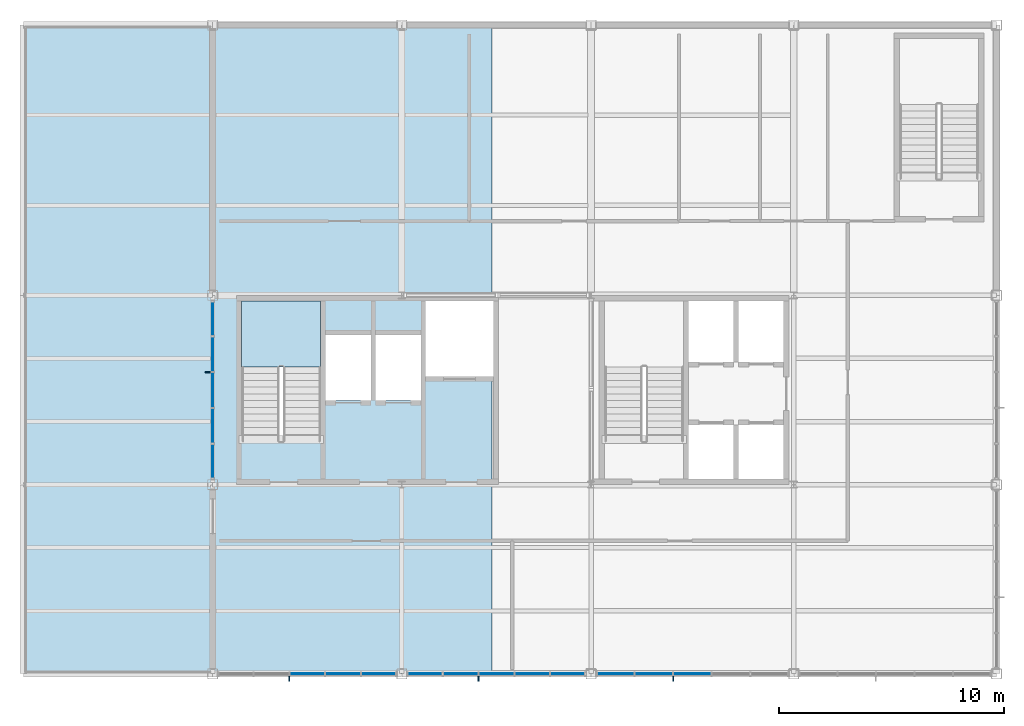
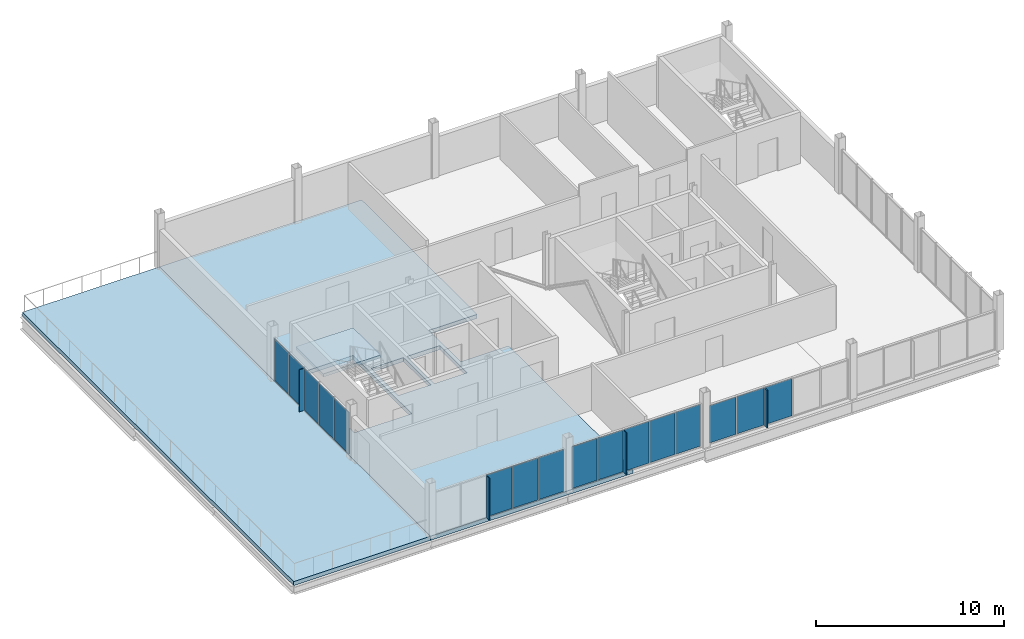
# One storey, part 8 of 14: 20 plates, 3 slabs, 5 elements without a shape of their own.
"""IFC4 building model written with IfcOpenShell, lengths in metres."""

import ifcopenshell
import ifcopenshell.guid

model = None  # the IFC model being written
_history = None  # IfcOwnerHistory: only IFC2X3 demands one
_inside = {}  # id of a spatial element -> (the spatial element, [elements in it])
_under = {}  # id of a project, library or spatial element -> (it, [spatial elements below it])
_declared = {}  # id of a project -> (the project, [libraries it declares])
_typed = {}  # id of a type object -> (the type object, [elements of that type])
_made_of = {}  # id of a material, layer set ... -> (it, [elements and type objects made of it])


def new_model(schema):
    """Start an empty IFC model of exactly this schema.

    Asked for "IFC4X3", IfcOpenShell would pick the latest addendum, in which some entities
    have other attributes; the version numbers below select the first issue.
    IFC2X3 requires an IfcOwnerHistory on every rooted entity: one is made here for all.
    """
    global model, _history
    if schema == "IFC4X3":
        model = ifcopenshell.file(schema_version=(4, 3, 0, 0))
    else:
        model = ifcopenshell.file(schema=schema)
    _inside.clear()
    _under.clear()
    _declared.clear()
    _typed.clear()
    _made_of.clear()
    _history = None
    if model.schema == "IFC2X3":
        org = make("IfcOrganization", Name="unknown")
        user = make(
            "IfcPersonAndOrganization",
            ThePerson=make("IfcPerson", FamilyName="unknown"),
            TheOrganization=org,
        )
        app = make(
            "IfcApplication",
            ApplicationDeveloper=org,
            Version="unknown",
            ApplicationFullName="unknown",
            ApplicationIdentifier="unknown",
        )
        _history = make(
            "IfcOwnerHistory",
            OwningUser=user,
            OwningApplication=app,
            ChangeAction="ADDED",
            CreationDate=0,
        )
    return model


def make(cls, **values):
    """One entity of the class cls with the attributes given. An attribute that is None is left unset."""
    return model.create_entity(
        cls, **{name: value for name, value in values.items() if value is not None}
    )


def rooted(cls, **values):
    """An entity with a GlobalId (a new one), such as an element, a storey or a relation."""
    return make(cls, GlobalId=ifcopenshell.guid.new(), OwnerHistory=_history, **values)


def si_unit(unit_type, name, prefix=None):
    """IfcSIUnit, for example si_unit("LENGTHUNIT", "METRE", prefix="MILLI")."""
    return make("IfcSIUnit", UnitType=unit_type, Prefix=prefix, Name=name)


def assignment(units):
    """IfcUnitAssignment: the units of a project."""
    return None if units is None else make("IfcUnitAssignment", Units=units)


def point(xyz):
    """IfcCartesianPoint."""
    return None if xyz is None else make("IfcCartesianPoint", Coordinates=xyz)


def direction(xyz):
    """IfcDirection."""
    return None if xyz is None else make("IfcDirection", DirectionRatios=xyz)


def frame(location, z_axis=None, x_axis=None):
    """IfcAxis2Placement3D, a coordinate frame: its origin and axes. An axis left out is left unset."""
    return make(
        "IfcAxis2Placement3D",
        Location=point(location),
        Axis=direction(z_axis),
        RefDirection=direction(x_axis),
    )


def frame_2d(location, x_axis=None):
    """IfcAxis2Placement2D, a coordinate frame in the plane: its origin and x axis."""
    return make(
        "IfcAxis2Placement2D", Location=point(location), RefDirection=direction(x_axis)
    )


def origin():
    """The frame at (0, 0, 0) with its axes left unset."""
    return frame((0.0, 0.0, 0.0))


def origin_2d():
    """The frame at (0, 0) in the plane with its x axis left unset."""
    return frame_2d((0.0, 0.0))


def place(relative_to, where):
    """IfcLocalPlacement: puts the frame where relative to a parent placement (None: the world)."""
    return make(
        "IfcLocalPlacement", PlacementRelTo=relative_to, RelativePlacement=where
    )


def context(
    kind, dimensions, precision=None, world=None, true_north=None, identifier=None
):
    """IfcGeometricRepresentationContext, for example the 3D "Model" context."""
    return make(
        "IfcGeometricRepresentationContext",
        ContextIdentifier=identifier,
        ContextType=kind,
        CoordinateSpaceDimension=dimensions,
        Precision=precision,
        WorldCoordinateSystem=world,
        TrueNorth=true_north,
    )


def subcontext(parent, identifier, kind, view, scale=None):
    """IfcGeometricRepresentationSubContext, for example "Body" below "Model"."""
    return make(
        "IfcGeometricRepresentationSubContext",
        ContextIdentifier=identifier,
        ContextType=kind,
        ParentContext=parent,
        TargetScale=scale,
        TargetView=view,
    )


def project(units=None, contexts=None):
    """IfcProject with its units and contexts."""
    return rooted(
        "IfcProject",
        Name="project",
        RepresentationContexts=contexts,
        UnitsInContext=assignment(units),
    )


def spatial(cls, under=None, at=None, **own):
    """A site, building, storey or space (cls), placed at a placement, below another one or the project."""
    s = rooted(cls, ObjectPlacement=at, **own)
    if under is not None:
        _under.setdefault(under.id(), (under, []))[1].append(s)
    return s


def polyline(points):
    """IfcPolyline through the points."""
    return make("IfcPolyline", Points=[point(p) for p in points])


def profile(cls, at=None, kind="AREA", **sizes):
    """A parametric profile (cls). Its sizes go by their IFC names, for example OverallWidth=200.0."""
    return make(cls, ProfileType=kind, Position=at, **sizes)


def rectangle(**sizes):
    """IfcRectangleProfileDef."""
    return profile("IfcRectangleProfileDef", **sizes)


def outline(outer, holes=None, kind="AREA"):
    """IfcArbitraryClosedProfileDef: a profile drawn as a closed curve; with holes, ...WithVoids."""
    if holes is None:
        return make("IfcArbitraryClosedProfileDef", ProfileType=kind, OuterCurve=outer)
    return make(
        "IfcArbitraryProfileDefWithVoids",
        ProfileType=kind,
        OuterCurve=outer,
        InnerCurves=holes,
    )


def extrude(swept, where, along, depth):
    """IfcExtrudedAreaSolid: the profile swept, set in the frame where, extruded along a direction by depth."""
    return make(
        "IfcExtrudedAreaSolid",
        SweptArea=swept,
        Position=where,
        ExtrudedDirection=direction(along),
        Depth=depth,
    )


def shape(context_of_items, identifier, shape_type, items):
    """IfcShapeRepresentation: the items that make up one representation, for example the "Body"."""
    return make(
        "IfcShapeRepresentation",
        ContextOfItems=context_of_items,
        RepresentationIdentifier=identifier,
        RepresentationType=shape_type,
        Items=items,
    )


def material(Name=None, Category=None):
    """IfcMaterial."""
    return make("IfcMaterial", Name=Name, Category=Category)


def layer(
    of_material, thickness, ventilated=None, Name=None, Category=None, Priority=None
):
    """IfcMaterialLayer: one layer of a wall or slab, of a material (None: an air gap)."""
    return make(
        "IfcMaterialLayer",
        Material=of_material,
        LayerThickness=thickness,
        IsVentilated=ventilated,
        Name=Name,
        Category=Category,
        Priority=Priority,
    )


def layer_set(layers, Name=None):
    """IfcMaterialLayerSet."""
    return make("IfcMaterialLayerSet", MaterialLayers=layers, LayerSetName=Name)


def made_of(thing, what):
    """Note that an element or type object is made of a material, layer set ...; save() writes the relation."""
    if what is not None:
        _made_of.setdefault(what.id(), (what, []))[1].append(thing)
    return thing


def type_object(cls, material=None, **own):
    """A type object (cls), such as IfcWallType, which elements share."""
    return made_of(rooted(cls, **own), material)


def element(
    cls,
    number,
    at=None,
    inside=None,
    cuts=None,
    type_object=None,
    material=None,
    context=None,
    identifier="Body",
    shape_type=None,
    held_by="IfcProductDefinitionShape",
    body=None,
    shapes=None,
    **own,
):
    """One element of the class cls, such as IfcWall. Its Tag is "e" and its number.

    at: its placement. inside: the storey or other place that contains it. cuts: it is an
    opening in that element (IfcRelVoidsElement). A single representation is given by context,
    identifier, shape_type and body (its items); several are given by shapes. held_by: the class
    of the entity that holds the representations. save() writes the other relations.
    """
    e = rooted(cls, Tag="e%d" % number, ObjectPlacement=at, **own)
    if body is not None:
        shapes = [shape(context, identifier, shape_type, body)]
    if shapes is not None:
        e.Representation = make(held_by, Representations=shapes)
    if inside is not None:
        _inside.setdefault(inside.id(), (inside, []))[1].append(e)
    if cuts is not None:
        rooted(
            "IfcRelVoidsElement", RelatingBuildingElement=cuts, RelatedOpeningElement=e
        )
    if type_object is not None:
        _typed.setdefault(type_object.id(), (type_object, []))[1].append(e)
    return made_of(e, material)


def aggregate(whole, parts):
    """IfcRelAggregates: a whole, such as a stair, and the parts it consists of."""
    return rooted("IfcRelAggregates", RelatingObject=whole, RelatedObjects=parts)


def save(model, path):
    """Write the relations noted so far, then the file.

    IfcRelAggregates (storeys below a building ...), IfcRelContainedInSpatialStructure (elements
    in a storey), IfcRelDefinesByType, IfcRelAssociatesMaterial and IfcRelDeclares: one each for
    every whole, place, type object, material and project.
    """
    for whole, parts in _under.values():
        aggregate(whole, parts)
    for where, things in _inside.values():
        rooted(
            "IfcRelContainedInSpatialStructure",
            RelatedElements=things,
            RelatingStructure=where,
        )
    for kind, things in _typed.values():
        rooted("IfcRelDefinesByType", RelatedObjects=things, RelatingType=kind)
    for what, things in _made_of.values():
        rooted("IfcRelAssociatesMaterial", RelatedObjects=things, RelatingMaterial=what)
    for by, libraries in _declared.values():
        rooted("IfcRelDeclares", RelatingContext=by, RelatedDefinitions=libraries)
    model.write(path)


model = new_model("IFC4")

# Units and contexts
model_context = context("Model", 3, precision=1e-05, world=origin(), true_north=direction((0.0, 1.0)))
body_context = subcontext(model_context, "Body", "Model", "MODEL_VIEW")
ifc_project = project(units=[si_unit("LENGTHUNIT", "METRE"), si_unit("AREAUNIT", "SQUARE_METRE"), si_unit("VOLUMEUNIT", "CUBIC_METRE"), si_unit("PLANEANGLEUNIT", "RADIAN"), si_unit("MASSUNIT", "GRAM", prefix="KILO")], contexts=[model_context])

# Site, building, storey
site_placement = place(None, origin())
site = spatial("IfcSite", under=ifc_project, at=site_placement, CompositionType="ELEMENT")
building_placement = place(site_placement, origin())
building = spatial("IfcBuilding", under=site, at=building_placement, Name="Yukiwa Park Conservatory and Herbarium", CompositionType="ELEMENT")
storey_placement = place(building_placement, frame((0.0, 0.0, 50.39990234375)))
storey = spatial("IfcBuildingStorey", under=building, at=storey_placement, Name="L13", CompositionType="ELEMENT", Elevation=50.39990234375)

# Curtain wall, plates
ifc_material_1 = material(Name="Triple Low-E Insulated Glass", Category="glass")
ifc_layer_1 = layer(ifc_material_1, 0.27197265625)
ifc_layer_set_1 = layer_set([ifc_layer_1], Name="Triple Low-E Insulated Glass")
curtain_wall_type = type_object("IfcCurtainWallType", Name="CW-TOWER-LIB-1600", PredefinedType="NOTDEFINED", material=ifc_layer_set_1)
curtain_wall_1_placement = place(storey_placement, origin())
curtain_wall_1 = element("IfcCurtainWall", 1, at=curtain_wall_1_placement, inside=storey, type_object=curtain_wall_type, Name="L13 unitised curtain wall CW-L13-128", PredefinedType="NOTDEFINED")
ifc_material_2 = material(Name="Triple Low-E Insulated Glass", Category="glass")
ifc_layer_2 = layer(ifc_material_2, 0.035888671875)
ifc_layer_set_2 = layer_set([ifc_layer_2], Name="Triple Low-E Insulated Glass")
plate_type_1 = type_object("IfcPlateType", Name="PL-CW-GLZ-36", PredefinedType="CURTAIN_PANEL", material=ifc_layer_set_2)
plate_1_placement = place(storey_placement, frame((133.199951171875, 102.179931640625, 0.070068359375), z_axis=(0.0, 0.0, 1.0), x_axis=(0.0, -1.0, 0.0)))
plate_1 = element("IfcPlate", 2, at=plate_1_placement, type_object=plate_type_1, Name="CW-L13-128 vision panel 1.1", PredefinedType="CURTAIN_PANEL", context=body_context, shape_type="SweptSolid", body=[
    extrude(rectangle(XDim=1.52001953125, YDim=0.035888671875, at=origin_2d()), origin(), (0.0, 0.0, 1.0), 2.7060546875),
])
plate_2_placement = place(storey_placement, frame((133.199951171875, 100.590087890625, 0.070068359375), z_axis=(0.0, 0.0, 1.0), x_axis=(0.0, -1.0, 0.0)))
plate_2 = element("IfcPlate", 3, at=plate_2_placement, type_object=plate_type_1, Name="CW-L13-128 vision panel 2.1", PredefinedType="CURTAIN_PANEL", context=body_context, shape_type="SweptSolid", body=[
    extrude(rectangle(XDim=1.52001953125, YDim=0.035888671875, at=origin_2d()), origin(), (0.0, 0.0, 1.0), 2.7060546875),
])
plate_3_placement = place(storey_placement, frame((133.199951171875, 99.0, 0.070068359375), z_axis=(0.0, 0.0, 1.0), x_axis=(0.0, -1.0, 0.0)))
plate_3 = element("IfcPlate", 4, at=plate_3_placement, type_object=plate_type_1, Name="CW-L13-128 vision panel 3.1", PredefinedType="CURTAIN_PANEL", context=body_context, shape_type="SweptSolid", body=[
    extrude(rectangle(XDim=1.52001953125, YDim=0.035888671875, at=origin_2d()), origin(), (0.0, 0.0, 1.0), 2.7060546875),
])
plate_4_placement = place(storey_placement, frame((133.199951171875, 97.409912109375, 0.070068359375), z_axis=(0.0, 0.0, 1.0), x_axis=(0.0, -1.0, 0.0)))
plate_4 = element("IfcPlate", 5, at=plate_4_placement, type_object=plate_type_1, Name="CW-L13-128 vision panel 4.1", PredefinedType="CURTAIN_PANEL", context=body_context, shape_type="SweptSolid", body=[
    extrude(rectangle(XDim=1.52001953125, YDim=0.035888671875, at=origin_2d()), origin(), (0.0, 0.0, 1.0), 2.7060546875),
])
plate_5_placement = place(storey_placement, frame((133.199951171875, 95.820068359375, 0.070068359375), z_axis=(0.0, 0.0, 1.0), x_axis=(0.0, -1.0, 0.0)))
plate_5 = element("IfcPlate", 6, at=plate_5_placement, type_object=plate_type_1, Name="CW-L13-128 vision panel 5.1", PredefinedType="CURTAIN_PANEL", context=body_context, shape_type="SweptSolid", body=[
    extrude(rectangle(XDim=1.52001953125, YDim=0.035888671875, at=origin_2d()), origin(), (0.0, 0.0, 1.0), 2.7060546875),
])
aggregate(curtain_wall_1, [plate_1, plate_2, plate_3, plate_4, plate_5])

curtain_wall_2_placement = place(storey_placement, origin())
curtain_wall_2 = element("IfcCurtainWall", 7, at=curtain_wall_2_placement, inside=storey, type_object=curtain_wall_type, Name="L13 unitised curtain wall CW-L13-129", PredefinedType="NOTDEFINED")
plate_6_placement = place(storey_placement, frame((137.39990234375, 86.39990234375, 0.070068359375), z_axis=(0.0, 0.0, 1.0), x_axis=(1.0, 0.0, 0.0)))
plate_6 = element("IfcPlate", 8, at=plate_6_placement, type_object=plate_type_1, Name="CW-L13-129 vision panel 3.1", PredefinedType="CURTAIN_PANEL", context=body_context, shape_type="SweptSolid", body=[
    extrude(rectangle(XDim=1.52001953125, YDim=0.035888671875, at=origin_2d()), origin(), (0.0, 0.0, 1.0), 2.7060546875),
])
plate_7_placement = place(storey_placement, frame((138.989990234375, 86.39990234375, 0.070068359375), z_axis=(0.0, 0.0, 1.0), x_axis=(1.0, 0.0, 0.0)))
plate_7 = element("IfcPlate", 9, at=plate_7_placement, type_object=plate_type_1, Name="CW-L13-129 vision panel 4.1", PredefinedType="CURTAIN_PANEL", context=body_context, shape_type="SweptSolid", body=[
    extrude(rectangle(XDim=1.52001953125, YDim=0.035888671875, at=origin_2d()), origin(), (0.0, 0.0, 1.0), 2.7060546875),
])
plate_8_placement = place(storey_placement, frame((140.580078125, 86.39990234375, 0.070068359375), z_axis=(0.0, 0.0, 1.0), x_axis=(1.0, 0.0, 0.0)))
plate_8 = element("IfcPlate", 10, at=plate_8_placement, type_object=plate_type_1, Name="CW-L13-129 vision panel 5.1", PredefinedType="CURTAIN_PANEL", context=body_context, shape_type="SweptSolid", body=[
    extrude(rectangle(XDim=1.52001953125, YDim=0.035888671875, at=origin_2d()), origin(), (0.0, 0.0, 1.0), 2.7060546875),
])
aggregate(curtain_wall_2, [plate_6, plate_7, plate_8])

curtain_wall_3_placement = place(storey_placement, origin())
curtain_wall_3 = element("IfcCurtainWall", 11, at=curtain_wall_3_placement, inside=storey, type_object=curtain_wall_type, Name="L13 unitised curtain wall CW-L13-130", PredefinedType="NOTDEFINED")
plate_9_placement = place(storey_placement, frame((142.6201171875, 86.39990234375, 0.070068359375), z_axis=(0.0, 0.0, 1.0), x_axis=(1.0, 0.0, 0.0)))
plate_9 = element("IfcPlate", 12, at=plate_9_placement, type_object=plate_type_1, Name="CW-L13-130 vision panel 1.1", PredefinedType="CURTAIN_PANEL", context=body_context, shape_type="SweptSolid", body=[
    extrude(rectangle(XDim=1.52001953125, YDim=0.035888671875, at=origin_2d()), origin(), (0.0, 0.0, 1.0), 2.7060546875),
])
plate_10_placement = place(storey_placement, frame((144.2099609375, 86.39990234375, 0.070068359375), z_axis=(0.0, 0.0, 1.0), x_axis=(1.0, 0.0, 0.0)))
plate_10 = element("IfcPlate", 13, at=plate_10_placement, type_object=plate_type_1, Name="CW-L13-130 vision panel 2.1", PredefinedType="CURTAIN_PANEL", context=body_context, shape_type="SweptSolid", body=[
    extrude(rectangle(XDim=1.52001953125, YDim=0.035888671875, at=origin_2d()), origin(), (0.0, 0.0, 1.0), 2.7060546875),
])
plate_11_placement = place(storey_placement, frame((145.800048828125, 86.39990234375, 0.070068359375), z_axis=(0.0, 0.0, 1.0), x_axis=(1.0, 0.0, 0.0)))
plate_11 = element("IfcPlate", 14, at=plate_11_placement, type_object=plate_type_1, Name="CW-L13-130 vision panel 3.1", PredefinedType="CURTAIN_PANEL", context=body_context, shape_type="SweptSolid", body=[
    extrude(rectangle(XDim=1.52001953125, YDim=0.035888671875, at=origin_2d()), origin(), (0.0, 0.0, 1.0), 2.7060546875),
])
plate_12_placement = place(storey_placement, frame((147.389892578125, 86.39990234375, 0.070068359375), z_axis=(0.0, 0.0, 1.0), x_axis=(1.0, 0.0, 0.0)))
plate_12 = element("IfcPlate", 15, at=plate_12_placement, type_object=plate_type_1, Name="CW-L13-130 vision panel 4.1", PredefinedType="CURTAIN_PANEL", context=body_context, shape_type="SweptSolid", body=[
    extrude(rectangle(XDim=1.52001953125, YDim=0.035888671875, at=origin_2d()), origin(), (0.0, 0.0, 1.0), 2.7060546875),
])
plate_13_placement = place(storey_placement, frame((148.97998046875, 86.39990234375, 0.070068359375), z_axis=(0.0, 0.0, 1.0), x_axis=(1.0, 0.0, 0.0)))
plate_13 = element("IfcPlate", 16, at=plate_13_placement, type_object=plate_type_1, Name="CW-L13-130 vision panel 5.1", PredefinedType="CURTAIN_PANEL", context=body_context, shape_type="SweptSolid", body=[
    extrude(rectangle(XDim=1.52001953125, YDim=0.035888671875, at=origin_2d()), origin(), (0.0, 0.0, 1.0), 2.7060546875),
])
aggregate(curtain_wall_3, [plate_9, plate_10, plate_11, plate_12, plate_13])

curtain_wall_4_placement = place(storey_placement, origin())
curtain_wall_4 = element("IfcCurtainWall", 17, at=curtain_wall_4_placement, inside=storey, type_object=curtain_wall_type, Name="L13 unitised curtain wall CW-L13-131", PredefinedType="NOTDEFINED")
plate_14_placement = place(storey_placement, frame((151.080078125, 86.39990234375, 0.070068359375), z_axis=(0.0, 0.0, 1.0), x_axis=(1.0, 0.0, 0.0)))
plate_14 = element("IfcPlate", 18, at=plate_14_placement, type_object=plate_type_1, Name="CW-L13-131 vision panel 1.1", PredefinedType="CURTAIN_PANEL", context=body_context, shape_type="SweptSolid", body=[
    extrude(rectangle(XDim=1.639892578125, YDim=0.035888671875, at=origin_2d()), origin(), (0.0, 0.0, 1.0), 2.4140625),
])
plate_15_placement = place(storey_placement, frame((152.7900390625, 86.39990234375, 0.070068359375), z_axis=(0.0, 0.0, 1.0), x_axis=(1.0, 0.0, 0.0)))
plate_15 = element("IfcPlate", 19, at=plate_15_placement, type_object=plate_type_1, Name="CW-L13-131 vision panel 2.1", PredefinedType="CURTAIN_PANEL", context=body_context, shape_type="SweptSolid", body=[
    extrude(rectangle(XDim=1.639892578125, YDim=0.035888671875, at=origin_2d()), origin(), (0.0, 0.0, 1.0), 2.4140625),
])
plate_16_placement = place(storey_placement, frame((154.5, 86.39990234375, 0.070068359375), z_axis=(0.0, 0.0, 1.0), x_axis=(1.0, 0.0, 0.0)))
plate_16 = element("IfcPlate", 20, at=plate_16_placement, type_object=plate_type_1, Name="CW-L13-131 vision panel 3.1", PredefinedType="CURTAIN_PANEL", context=body_context, shape_type="SweptSolid", body=[
    extrude(rectangle(XDim=1.639892578125, YDim=0.035888671875, at=origin_2d()), origin(), (0.0, 0.0, 1.0), 2.4140625),
])
aggregate(curtain_wall_4, [plate_14, plate_15, plate_16])

# Plates
ifc_material_3 = material(Name="Anodised Aluminium", Category="aluminium")
ifc_layer_3 = layer(ifc_material_3, 0.050048828125)
ifc_layer_set_3 = layer_set([ifc_layer_3], Name="Anodised Aluminium")
plate_type_2 = type_object("IfcPlateType", Name="PL-FIN-ALU-50", PredefinedType="USERDEFINED", material=ifc_layer_set_3)
for number, where, z_axis, x_axis, name in (
    (21, (133.010009765625, 99.794921875, 0.06005859375), (0.0, 0.0, 1.0), (0.0, -1.0, 0.0), "CW-L13-128 exterior vertical shading fin"),
    (22, (136.60498046875, 86.2099609375, 0.06005859375), (0.0, 0.0, 1.0), (1.0, 0.0, 0.0), "CW-L13-129 exterior vertical shading fin"),
    (23, (145.0048828125, 86.2099609375, 0.06005859375), (0.0, 0.0, 1.0), (1.0, 0.0, 0.0), "CW-L13-130 exterior vertical shading fin"),
):
    element("IfcPlate", number, at=place(storey_placement, frame(where, z_axis=z_axis, x_axis=x_axis)), inside=storey, type_object=plate_type_2, Name=name, ObjectType="SHADING FIN", PredefinedType="USERDEFINED", context=body_context, shape_type="SweptSolid", body=[
        extrude(rectangle(XDim=0.050048828125, YDim=0.280029296875, at=origin_2d()), origin(), (0.0, 0.0, 1.0), 2.72607421875),
    ])
plate_17_placement = place(storey_placement, frame((153.64501953125, 86.2099609375, 0.06005859375), z_axis=(0.0, 0.0, 1.0), x_axis=(1.0, 0.0, 0.0)))
element("IfcPlate", 24, at=plate_17_placement, inside=storey, type_object=plate_type_2, Name="CW-L13-131 exterior vertical shading fin", ObjectType="SHADING FIN", PredefinedType="USERDEFINED", context=body_context, shape_type="SweptSolid", body=[
    extrude(rectangle(XDim=0.050048828125, YDim=0.280029296875, at=origin_2d()), origin(), (0.0, 0.0, 1.0), 2.43408203125),
])

# Slab
ifc_material_4 = material(Name="Concrete C40", Category="concrete")
ifc_layer_4 = layer(ifc_material_4, 0.261962890625)
ifc_layer_set_4 = layer_set([ifc_layer_4], Name="Concrete C40")
slab_type_1 = type_object("IfcSlabType", Name="SL-FLR-262", PredefinedType="FLOOR", material=ifc_layer_set_4)
slab_1_placement = place(storey_placement, frame((0.0, 0.0, -0.261962890625)))
element("IfcSlab", 25, at=slab_1_placement, inside=storey, type_object=slab_type_1, Name="L13 composite structural floor slab V5W", PredefinedType="FLOOR", context=body_context, shape_type="SweptSolid", body=[
    extrude(outline(polyline([(133.199951171875, 115.199951171875), (145.60009765625, 115.199951171875), (145.60009765625, 102.949951171875), (142.659912109375, 102.949951171875), (142.659912109375, 99.60009765625), (145.60009765625, 99.60009765625), (145.60009765625, 86.39990234375), (133.199951171875, 86.39990234375), (133.199951171875, 115.199951171875)]), holes=[polyline([(134.489990234375, 102.949951171875), (134.489990234375, 96.72998046875), (138.0, 96.72998046875), (138.0, 102.949951171875), (134.489990234375, 102.949951171875)]), polyline([(140.219970703125, 101.43994140625), (138.219970703125, 101.43994140625), (138.219970703125, 98.5400390625), (140.219970703125, 98.5400390625), (140.219970703125, 101.43994140625)]), polyline([(140.43994140625, 101.43994140625), (140.43994140625, 98.5400390625), (142.43994140625, 98.5400390625), (142.43994140625, 101.43994140625), (140.43994140625, 101.43994140625)])]), origin(), (0.0, 0.0, 1.0), 0.261962890625),
])

# Stair, slab
ifc_material_5 = material(Name="Concrete C40", Category="concrete")
stair_type = type_object("IfcStairType", Name="ST-DOGLEG-ST-T1", PredefinedType="HALF_TURN_STAIR", material=ifc_material_5)
stair_placement = place(storey_placement, origin())
stair = element("IfcStair", 26, at=stair_placement, inside=storey, type_object=stair_type, Name="L13 Protected Smoke-Proof Stair ST-T1", PredefinedType="HALF_TURN_STAIR")
ifc_material_6 = material(Name="Concrete C40", Category="concrete")
ifc_layer_5 = layer(ifc_material_6, 0.199951171875)
ifc_layer_set_5 = layer_set([ifc_layer_5], Name="Concrete C40")
slab_type_2 = type_object("IfcSlabType", Name="SL-LANDING-220", PredefinedType="LANDING", material=ifc_layer_set_5)
slab_2_placement = place(storey_placement, frame((0.0, 0.0, 1.60009765625)))
slab_2 = element("IfcSlab", 27, at=slab_2_placement, type_object=slab_type_2, Name="ST-T1 landing 1", PredefinedType="LANDING", context=body_context, shape_type="SweptSolid", body=[
    extrude(outline(polyline([(138.0, 100.030029296875), (138.0, 102.949951171875), (134.489990234375, 102.949951171875), (134.489990234375, 100.030029296875), (138.0, 100.030029296875)])), origin(), (0.0, 0.0, 1.0), 0.199951171875),
])
aggregate(stair, [slab_2])

# Slab
ifc_material_7 = material(Name="Concrete C40", Category="concrete")
ifc_layer_6 = layer(ifc_material_7, 0.260009765625)
ifc_layer_set_6 = layer_set([ifc_layer_6], Name="Concrete C40")
slab_type_3 = type_object("IfcSlabType", Name="SL-TER-260", PredefinedType="ROOF", material=ifc_layer_set_6)
slab_3_placement = place(storey_placement, frame((0.0, 0.0, -0.260009765625)))
element("IfcSlab", 28, at=slab_3_placement, inside=storey, type_object=slab_type_3, Name="L13 Sky Terrace Reading Deck slab", PredefinedType="ROOF", context=body_context, shape_type="SweptSolid", body=[
    extrude(outline(polyline([(124.800048828125, 86.39990234375), (124.800048828125, 115.199951171875), (133.199951171875, 115.199951171875), (133.199951171875, 86.39990234375), (124.800048828125, 86.39990234375)])), origin(), (0.0, 0.0, 1.0), 0.260009765625),
])

save(model, "model.ifc")
